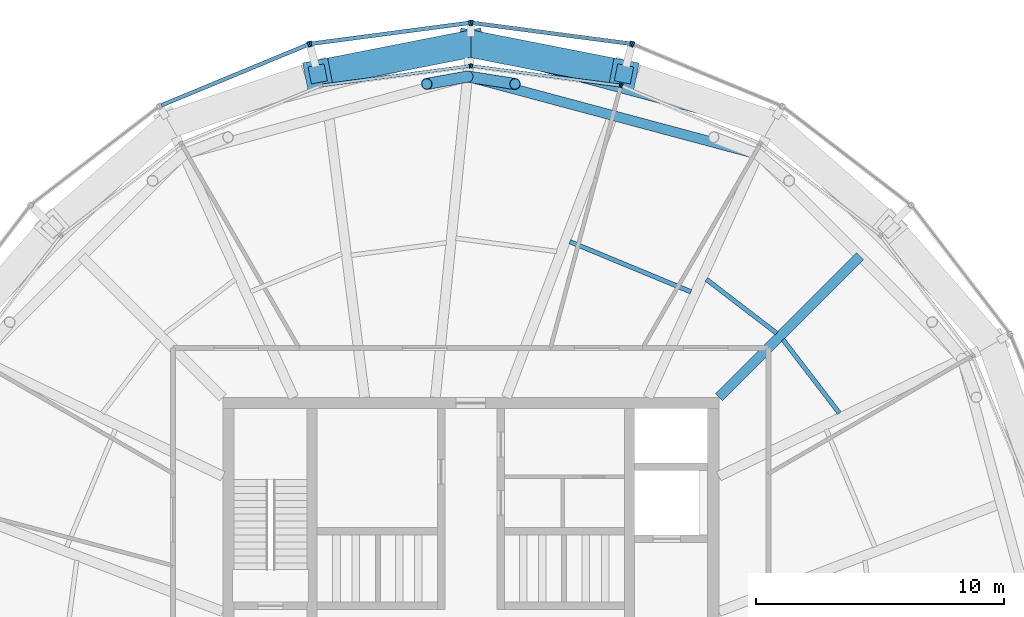
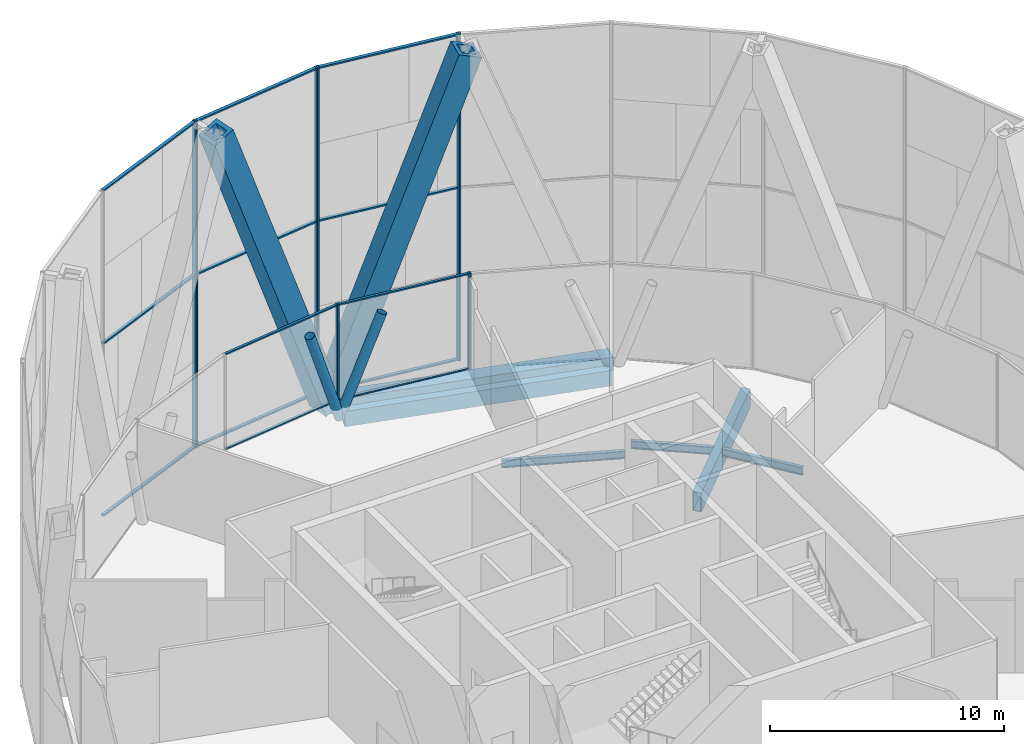
# One storey, part 7 of 15: 27 members, 6 beams, 7 elements without a shape of their own.
"""IFC4 building model written with IfcOpenShell, lengths in metres."""

from ifc_helpers import new_model, si_unit, direction, frame, origin, origin_2d, place, context, subcontext, project, spatial, rectangle, hollow_rectangle, hollow_circle, i_section, extrude, material, material_profile, profile_set, type_object, element, aggregate, save


model = new_model("IFC4")

# Units and contexts
model_context = context("Model", 3, precision=1e-05, world=origin(), true_north=direction((0.0, 1.0)))
body_context = subcontext(model_context, "Body", "Model", "MODEL_VIEW")
ifc_project = project(units=[si_unit("LENGTHUNIT", "METRE"), si_unit("AREAUNIT", "SQUARE_METRE"), si_unit("VOLUMEUNIT", "CUBIC_METRE"), si_unit("PLANEANGLEUNIT", "RADIAN"), si_unit("MASSUNIT", "GRAM", prefix="KILO")], contexts=[model_context])

# Site, building, storey
site_placement = place(None, origin())
site = spatial("IfcSite", under=ifc_project, at=site_placement, CompositionType="ELEMENT")
building_placement = place(site_placement, origin())
building = spatial("IfcBuilding", under=site, at=building_placement, Name="Golbaran Civic Tower", CompositionType="ELEMENT")
storey_placement = place(building_placement, frame((0.0, 0.0, 215.0)))
storey = spatial("IfcBuildingStorey", under=building, at=storey_placement, Name="L52", CompositionType="ELEMENT", Elevation=215.0)

# Members
ifc_material_1 = material(Name="Steel S355", Category="steel")
ifc_material_profile_1 = material_profile(ifc_material_1, hollow_circle(Radius=0.228515625, WallThickness=0.02001953125, at=origin_2d()), Name="CHS 457.0x20")
ifc_profile_set_1 = profile_set([ifc_material_profile_1], Name="Steel S355")
member_type_1 = type_object("IfcMemberType", Name="BELT TRUSS DIAGONAL CHS 457.0x20", PredefinedType="BRACE", material=ifc_profile_set_1)
member_1_placement = place(storey_placement, frame((-0.13232421875, 22.934814453125, -0.60009765625), z_axis=(-0.312607456474, -0.056623062688, 0.948193232906), x_axis=(0.178231349372, -0.983988610758, 0.0)))
element("IfcMember", 1, at=member_1_placement, inside=storey, type_object=member_type_1, Name="Belt truss diagonal 90.00R L52", PredefinedType="BRACE", context=body_context, shape_type="SweptSolid", body=[
    extrude(hollow_circle(Radius=0.228515625, WallThickness=0.02001953125, at=origin_2d()), origin(), (0.0, 0.0, 1.0), 5.273193359375),
])
member_2_placement = place(storey_placement, frame((-0.13232421875, 22.934814453125, -0.60009765625), z_axis=(0.356798260795, -0.055687120081, 0.93252021198), x_axis=(0.154207636616, 0.988038463224, 0.0)))
element("IfcMember", 2, at=member_2_placement, inside=storey, type_object=member_type_1, Name="Belt truss diagonal 90.00L L52", PredefinedType="BRACE", context=body_context, shape_type="SweptSolid", body=[
    extrude(hollow_circle(Radius=0.228515625, WallThickness=0.02001953125, at=origin_2d()), origin(), (0.0, 0.0, 1.0), 5.36181640625),
])
ifc_material_profile_2 = material_profile(ifc_material_1, hollow_rectangle(XDim=1.10009765625, YDim=1.10009765625, WallThickness=0.199951171875, at=origin_2d()), Name="BOX 1100x1100x200")
ifc_profile_set_2 = profile_set([ifc_material_profile_2], Name="Steel S355")
member_type_2 = type_object("IfcMemberType", Name="DIAGRID DIAGONAL BOX 1100x1100x200", PredefinedType="BRACE", material=ifc_profile_set_2)
for number, where, z_axis, x_axis, name in (
    (3, (0.0, 24.256103515625, -0.7099609375), (-0.340598547368, -0.066964133715, 0.937821109981), (0.192914082197, -0.981215652591, 0.0), "Diagonal D12-03R L52-L56"),
    (4, (0.0, 24.256103515625, -0.7099609375), (0.340598547368, -0.066964133715, 0.937821109981), (0.192914082197, 0.981215652591, 0.0), "Diagonal D12-03L L52-L56"),
):
    element("IfcMember", number, at=place(storey_placement, frame(where, z_axis=z_axis, x_axis=x_axis)), inside=storey, type_object=member_type_2, Name=name, PredefinedType="BRACE", context=body_context, shape_type="SweptSolid", body=[
        extrude(hollow_rectangle(XDim=1.10009765625, YDim=1.10009765625, WallThickness=0.199951171875, at=origin_2d()), origin(), (0.0, 0.0, 1.0), 18.127197265625),
    ])

# Beams
ifc_material_profile_3 = material_profile(ifc_material_1, hollow_rectangle(XDim=0.699951171875, YDim=0.699951171875, WallThickness=0.080078125, at=origin_2d()), Name="BOX 700x700x80")
ifc_profile_set_3 = profile_set([ifc_material_profile_3], Name="Steel S355")
beam_type_1 = type_object("IfcBeamType", Name="DIAGRID RING TIE BOX 700x700x80", PredefinedType="BEAM", material=ifc_profile_set_3)
beam_1_placement = place(storey_placement, frame((12.1279296875, 21.00634765625, -0.7099609375), z_axis=(-0.965924096113, 0.258825502121, 0.0), x_axis=(-0.258825502121, -0.965924096113, 0.0)))
element("IfcBeam", 5, at=beam_1_placement, inside=storey, type_object=beam_type_1, Name="Ring tie 60.00 L52", PredefinedType="BEAM", context=body_context, shape_type="SweptSolid", body=[
    extrude(hollow_rectangle(XDim=0.699951171875, YDim=0.699951171875, WallThickness=0.080078125, at=origin_2d()), origin(), (0.0, 0.0, 1.0), 12.5556640625),
])
ifc_material_profile_4 = material_profile(ifc_material_1, hollow_rectangle(XDim=0.39990234375, YDim=0.800048828125, WallThickness=0.0400390625, at=origin_2d()), Name="BOX 800x400x40")
ifc_profile_set_4 = profile_set([ifc_material_profile_4], Name="Steel S355")
beam_type_2 = type_object("IfcBeamType", Name="EDGE BEAM BOX 800x400x40", PredefinedType="BEAM", material=ifc_profile_set_4)
beam_2_placement = place(storey_placement, frame((11.404052734375, 19.84423828125, -0.60009765625), z_axis=(-0.965942492576, 0.258756837659, 0.0), x_axis=(-0.258756837659, -0.965942492576, 0.0)))
element("IfcBeam", 6, at=beam_2_placement, inside=storey, type_object=beam_type_2, Name="Edge beam 60.00 L52", PredefinedType="BEAM", context=body_context, shape_type="SweptSolid", body=[
    extrude(hollow_rectangle(XDim=0.39990234375, YDim=0.800048828125, WallThickness=0.0400390625, at=origin_2d()), origin(), (0.0, 0.0, 1.0), 11.760986328125),
])
ifc_material_profile_5 = material_profile(ifc_material_1, i_section(OverallWidth=0.179931640625, OverallDepth=0.39990234375, WebThickness=0.008544921875, FlangeThickness=0.013427734375, FilletRadius=0.02099609375, at=origin_2d()), Name="IPE 400")
ifc_profile_set_5 = profile_set([ifc_material_profile_5], Name="Steel S355")
beam_type_3 = type_object("IfcBeamType", Name="FLOOR INFILL BEAM IPE 400", PredefinedType="BEAM", material=ifc_profile_set_5)
beam_3_placement = place(storey_placement, frame((14.858642578125, 9.36376953125, -0.39990234375), z_axis=(-0.608753770436, 0.793359216862, 0.0), x_axis=(-0.793359216862, -0.608753770436, 0.0)))
element("IfcBeam", 7, at=beam_3_placement, inside=storey, type_object=beam_type_3, Name="Infill beam 37.50 L52", PredefinedType="BEAM", context=body_context, shape_type="SweptSolid", body=[
    extrude(i_section(OverallWidth=0.179931640625, OverallDepth=0.39990234375, WebThickness=0.008544921875, FlangeThickness=0.013427734375, FilletRadius=0.02099609375, at=origin_2d()), origin(), (0.0, 0.0, 1.0), 3.7373046875),
])
beam_4_placement = place(storey_placement, frame((12.330322265625, 12.5849609375, -0.39990234375), z_axis=(-0.79335768671, 0.608755764604, 0.0), x_axis=(-0.608755764604, -0.79335768671, 0.0)))
element("IfcBeam", 8, at=beam_4_placement, inside=storey, type_object=beam_type_3, Name="Infill beam 52.50 L52", PredefinedType="BEAM", context=body_context, shape_type="SweptSolid", body=[
    extrude(i_section(OverallWidth=0.179931640625, OverallDepth=0.39990234375, WebThickness=0.008544921875, FlangeThickness=0.013427734375, FilletRadius=0.02099609375, at=origin_2d()), origin(), (0.0, 0.0, 1.0), 3.572021484375),
])
beam_5_placement = place(storey_placement, frame((8.873291015625, 14.256591796875, -0.39990234375), z_axis=(-0.923880481198, 0.382681142024, 0.0), x_axis=(-0.382681142024, -0.923880481198, 0.0)))
element("IfcBeam", 9, at=beam_5_placement, inside=storey, type_object=beam_type_3, Name="Infill beam 67.50 L52", PredefinedType="BEAM", context=body_context, shape_type="SweptSolid", body=[
    extrude(i_section(OverallWidth=0.179931640625, OverallDepth=0.39990234375, WebThickness=0.008544921875, FlangeThickness=0.013427734375, FilletRadius=0.02099609375, at=origin_2d()), origin(), (0.0, 0.0, 1.0), 5.28125),
])

# Curtain wall, member
ifc_material_2 = material(Name="Aluminium and glass", Category="aluminium")
curtain_wall_type_1 = type_object("IfcCurtainWallType", Name="OUTER SKIN TERRACOTTA SCREEN", PredefinedType="NOTDEFINED", material=ifc_material_2)
curtain_wall_1_placement = place(storey_placement, origin())
curtain_wall_1 = element("IfcCurtainWall", 10, at=curtain_wall_1_placement, inside=storey, type_object=curtain_wall_type_1, Name="Outer skin L52 facet 5 CW3", ObjectType="OUTER SKIN", PredefinedType="USERDEFINED")
ifc_material_3 = material(Name="Aluminium", Category="aluminium")
ifc_material_profile_6 = material_profile(ifc_material_3, rectangle(XDim=0.219970703125, YDim=0.080078125, at=origin_2d()), Name="OUTER SKIN TERRACOTTA SCREEN MULLION")
ifc_profile_set_6 = profile_set([ifc_material_profile_6], Name="Aluminium")
member_type_3 = type_object("IfcMemberType", Name="OUTER SKIN TERRACOTTA SCREEN MULLION", PredefinedType="MULLION", material=ifc_profile_set_6)
member_3_placement = place(storey_placement, frame((6.534912109375, 24.235107421875, -0.7099609375), z_axis=(0.0, 0.0, 1.0), x_axis=(-0.38268343243, -0.923879532485, 0.0)))
member_3 = element("IfcMember", 11, at=member_3_placement, type_object=member_type_3, Name="CW3 mullion 2", PredefinedType="MULLION", context=body_context, shape_type="SweptSolid", body=[
    extrude(rectangle(XDim=0.219970703125, YDim=0.080078125, at=origin_2d()), origin(), (0.0, 0.0, 1.0), 17.0),
])
aggregate(curtain_wall_1, [member_3])

# Curtain wall, members
curtain_wall_2_placement = place(storey_placement, origin())
curtain_wall_2 = element("IfcCurtainWall", 12, at=curtain_wall_2_placement, inside=storey, type_object=curtain_wall_type_1, Name="Outer skin L52 facet 6 CW3", ObjectType="OUTER SKIN", PredefinedType="USERDEFINED")
member_4_placement = place(storey_placement, frame((6.458251953125, 24.255859375, -0.7099609375), z_axis=(0.0, 0.0, 1.0), x_axis=(-0.130526192203, -0.991444861376, 0.0)))
member_4 = element("IfcMember", 13, at=member_4_placement, type_object=member_type_3, Name="CW3 mullion 1", PredefinedType="MULLION", context=body_context, shape_type="SweptSolid", body=[
    extrude(rectangle(XDim=0.219970703125, YDim=0.080078125, at=origin_2d()), origin(), (0.0, 0.0, 1.0), 17.0),
])
member_5_placement = place(storey_placement, frame((0.03955078125, 25.100830078125, -0.7099609375), z_axis=(0.0, 0.0, 1.0), x_axis=(-0.130526192203, -0.991444861376, 0.0)))
member_5 = element("IfcMember", 14, at=member_5_placement, type_object=member_type_3, Name="CW3 mullion 2", PredefinedType="MULLION", context=body_context, shape_type="SweptSolid", body=[
    extrude(rectangle(XDim=0.219970703125, YDim=0.080078125, at=origin_2d()), origin(), (0.0, 0.0, 1.0), 17.0),
])

curtain_wall_3_placement = place(storey_placement, origin())
curtain_wall_3 = element("IfcCurtainWall", 15, at=curtain_wall_3_placement, inside=storey, type_object=curtain_wall_type_1, Name="Outer skin L52 facet 7 CW3", ObjectType="OUTER SKIN", PredefinedType="USERDEFINED")
member_6_placement = place(storey_placement, frame((-0.03955078125, 25.100830078125, -0.7099609375), z_axis=(0.0, 0.0, 1.0), x_axis=(0.130526192203, -0.991444861376, 0.0)))
member_6 = element("IfcMember", 16, at=member_6_placement, type_object=member_type_3, Name="CW3 mullion 1", PredefinedType="MULLION", context=body_context, shape_type="SweptSolid", body=[
    extrude(rectangle(XDim=0.219970703125, YDim=0.080078125, at=origin_2d()), origin(), (0.0, 0.0, 1.0), 17.0),
])
member_7_placement = place(storey_placement, frame((-6.458251953125, 24.255859375, -0.7099609375), z_axis=(0.0, 0.0, 1.0), x_axis=(0.130526192203, -0.991444861376, 0.0)))
member_7 = element("IfcMember", 17, at=member_7_placement, type_object=member_type_3, Name="CW3 mullion 2", PredefinedType="MULLION", context=body_context, shape_type="SweptSolid", body=[
    extrude(rectangle(XDim=0.219970703125, YDim=0.080078125, at=origin_2d()), origin(), (0.0, 0.0, 1.0), 17.0),
])

# Curtain wall, member
curtain_wall_4_placement = place(storey_placement, origin())
curtain_wall_4 = element("IfcCurtainWall", 18, at=curtain_wall_4_placement, inside=storey, type_object=curtain_wall_type_1, Name="Outer skin L52 facet 8 CW3", ObjectType="OUTER SKIN", PredefinedType="USERDEFINED")
member_8_placement = place(storey_placement, frame((-6.534912109375, 24.235107421875, -0.7099609375), z_axis=(0.0, 0.0, 1.0), x_axis=(0.38268343243, -0.923879532485, 0.0)))
member_8 = element("IfcMember", 19, at=member_8_placement, type_object=member_type_3, Name="CW3 mullion 1", PredefinedType="MULLION", context=body_context, shape_type="SweptSolid", body=[
    extrude(rectangle(XDim=0.219970703125, YDim=0.080078125, at=origin_2d()), origin(), (0.0, 0.0, 1.0), 17.0),
])

# Member
ifc_material_profile_7 = material_profile(ifc_material_3, rectangle(XDim=0.159912109375, YDim=0.080078125, at=origin_2d()), Name="OUTER SKIN TERRACOTTA SCREEN TRANSOM")
ifc_profile_set_7 = profile_set([ifc_material_profile_7], Name="Aluminium")
member_type_4 = type_object("IfcMemberType", Name="OUTER SKIN TERRACOTTA SCREEN TRANSOM", PredefinedType="USERDEFINED", material=ifc_profile_set_7)
member_9_placement = place(storey_placement, frame((6.418701171875, 24.260986328125, -0.669921875), z_axis=(-0.991447276218, 0.130507848345, 0.0), x_axis=(-0.130507848345, -0.991447276218, 0.0)))
member_9 = element("IfcMember", 20, at=member_9_placement, type_object=member_type_4, Name="CW3 transom 1.1", ObjectType="TRANSOM", PredefinedType="USERDEFINED", context=body_context, shape_type="SweptSolid", body=[
    extrude(rectangle(XDim=0.159912109375, YDim=0.080078125, at=origin_2d()), origin(), (0.0, 0.0, 1.0), 6.39404296875),
])

member_10_placement = place(storey_placement, frame((6.418701171875, 24.260986328125, 8.2900390625), z_axis=(-0.991447276218, 0.130507848345, 0.0), x_axis=(-0.130507848345, -0.991447276218, 0.0)))
member_10 = element("IfcMember", 21, at=member_10_placement, type_object=member_type_4, Name="CW3 transom 1.2", ObjectType="TRANSOM", PredefinedType="USERDEFINED", context=body_context, shape_type="SweptSolid", body=[
    extrude(rectangle(XDim=0.159912109375, YDim=0.080078125, at=origin_2d()), origin(), (0.0, 0.0, 1.0), 6.39404296875),
])

member_11_placement = place(storey_placement, frame((6.418701171875, 24.260986328125, 16.25), z_axis=(-0.991447276218, 0.130507848345, 0.0), x_axis=(-0.130507848345, -0.991447276218, 0.0)))
member_11 = element("IfcMember", 22, at=member_11_placement, type_object=member_type_4, Name="CW3 transom 1.3", ObjectType="TRANSOM", PredefinedType="USERDEFINED", context=body_context, shape_type="SweptSolid", body=[
    extrude(rectangle(XDim=0.159912109375, YDim=0.080078125, at=origin_2d()), origin(), (0.0, 0.0, 1.0), 6.39404296875),
])

aggregate(curtain_wall_2, [member_4, member_5, member_9, member_10, member_11])

member_12_placement = place(storey_placement, frame((-0.079345703125, 25.095458984375, -0.669921875), z_axis=(-0.991447276218, -0.130507848345, 0.0), x_axis=(0.130507848345, -0.991447276218, 0.0)))
member_12 = element("IfcMember", 23, at=member_12_placement, type_object=member_type_4, Name="CW3 transom 1.1", ObjectType="TRANSOM", PredefinedType="USERDEFINED", context=body_context, shape_type="SweptSolid", body=[
    extrude(rectangle(XDim=0.159912109375, YDim=0.080078125, at=origin_2d()), origin(), (0.0, 0.0, 1.0), 6.39404296875),
])

member_13_placement = place(storey_placement, frame((-0.079345703125, 25.095458984375, 8.2900390625), z_axis=(-0.991447276218, -0.130507848345, 0.0), x_axis=(0.130507848345, -0.991447276218, 0.0)))
member_13 = element("IfcMember", 24, at=member_13_placement, type_object=member_type_4, Name="CW3 transom 1.2", ObjectType="TRANSOM", PredefinedType="USERDEFINED", context=body_context, shape_type="SweptSolid", body=[
    extrude(rectangle(XDim=0.159912109375, YDim=0.080078125, at=origin_2d()), origin(), (0.0, 0.0, 1.0), 6.39404296875),
])

member_14_placement = place(storey_placement, frame((-0.079345703125, 25.095458984375, 16.25), z_axis=(-0.991447276218, -0.130507848345, 0.0), x_axis=(0.130507848345, -0.991447276218, 0.0)))
member_14 = element("IfcMember", 25, at=member_14_placement, type_object=member_type_4, Name="CW3 transom 1.3", ObjectType="TRANSOM", PredefinedType="USERDEFINED", context=body_context, shape_type="SweptSolid", body=[
    extrude(rectangle(XDim=0.159912109375, YDim=0.080078125, at=origin_2d()), origin(), (0.0, 0.0, 1.0), 6.39404296875),
])

aggregate(curtain_wall_3, [member_6, member_7, member_12, member_13, member_14])

member_15_placement = place(storey_placement, frame((-6.57177734375, 24.219970703125, -0.669921875), z_axis=(-0.923870235777, -0.382705875896, 0.0), x_axis=(0.382705875896, -0.923870235777, 0.0)))
member_15 = element("IfcMember", 26, at=member_15_placement, type_object=member_type_4, Name="CW3 transom 1.1", ObjectType="TRANSOM", PredefinedType="USERDEFINED", context=body_context, shape_type="SweptSolid", body=[
    extrude(rectangle(XDim=0.159912109375, YDim=0.080078125, at=origin_2d()), origin(), (0.0, 0.0, 1.0), 6.39404296875),
])

member_16_placement = place(storey_placement, frame((-6.57177734375, 24.219970703125, 8.2900390625), z_axis=(-0.923870235777, -0.382705875896, 0.0), x_axis=(0.382705875896, -0.923870235777, 0.0)))
member_16 = element("IfcMember", 27, at=member_16_placement, type_object=member_type_4, Name="CW3 transom 1.2", ObjectType="TRANSOM", PredefinedType="USERDEFINED", context=body_context, shape_type="SweptSolid", body=[
    extrude(rectangle(XDim=0.159912109375, YDim=0.080078125, at=origin_2d()), origin(), (0.0, 0.0, 1.0), 6.39404296875),
])

member_17_placement = place(storey_placement, frame((-6.57177734375, 24.219970703125, 16.25), z_axis=(-0.923870235777, -0.382705875896, 0.0), x_axis=(0.382705875896, -0.923870235777, 0.0)))
member_17 = element("IfcMember", 28, at=member_17_placement, type_object=member_type_4, Name="CW3 transom 1.3", ObjectType="TRANSOM", PredefinedType="USERDEFINED", context=body_context, shape_type="SweptSolid", body=[
    extrude(rectangle(XDim=0.159912109375, YDim=0.080078125, at=origin_2d()), origin(), (0.0, 0.0, 1.0), 6.39404296875),
])

aggregate(curtain_wall_4, [member_8, member_15, member_16, member_17])

# Curtain wall, member
curtain_wall_type_2 = type_object("IfcCurtainWallType", Name="PLANT FLOOR LOUVRE WALL", PredefinedType="NOTDEFINED", material=ifc_material_2)
curtain_wall_5_placement = place(storey_placement, origin())
curtain_wall_5 = element("IfcCurtainWall", 29, at=curtain_wall_5_placement, inside=storey, type_object=curtain_wall_type_2, Name="Inner skin L52 facet 5 CW6", ObjectType="PLANT LOUVRE WALL", PredefinedType="USERDEFINED")
ifc_material_profile_8 = material_profile(ifc_material_3, rectangle(XDim=0.159912109375, YDim=0.070068359375, at=origin_2d()), Name="PLANT FLOOR LOUVRE WALL MULLION")
ifc_profile_set_8 = profile_set([ifc_material_profile_8], Name="Aluminium")
member_type_5 = type_object("IfcMemberType", Name="PLANT FLOOR LOUVRE WALL MULLION", PredefinedType="MULLION", material=ifc_profile_set_8)
member_18_placement = place(storey_placement, frame((6.07958984375, 22.555419921875, 0.0), z_axis=(0.0, 0.0, 1.0), x_axis=(-0.382683432397, -0.923879532498, 0.0)))
member_18 = element("IfcMember", 30, at=member_18_placement, type_object=member_type_5, Name="CW6 mullion 2", PredefinedType="MULLION", context=body_context, shape_type="SweptSolid", body=[
    extrude(rectangle(XDim=0.159912109375, YDim=0.070068359375, at=origin_2d()), origin(), (0.0, 0.0, 1.0), 5.0),
])
aggregate(curtain_wall_5, [member_18])

# Curtain wall, members
curtain_wall_6_placement = place(storey_placement, origin())
curtain_wall_6 = element("IfcCurtainWall", 31, at=curtain_wall_6_placement, inside=storey, type_object=curtain_wall_type_2, Name="Inner skin L52 facet 6 CW6", ObjectType="PLANT LOUVRE WALL", PredefinedType="USERDEFINED")
member_19_placement = place(storey_placement, frame((6.0126953125, 22.573486328125, 0.0), z_axis=(0.0, 0.0, 1.0), x_axis=(-0.130526192255, -0.991444861369, 0.0)))
member_19 = element("IfcMember", 32, at=member_19_placement, type_object=member_type_5, Name="CW6 mullion 1", PredefinedType="MULLION", context=body_context, shape_type="SweptSolid", body=[
    extrude(rectangle(XDim=0.159912109375, YDim=0.070068359375, at=origin_2d()), origin(), (0.0, 0.0, 1.0), 5.0),
])
member_20_placement = place(storey_placement, frame((0.03466796875, 23.3603515625, 0.0), z_axis=(0.0, 0.0, 1.0), x_axis=(-0.130526192255, -0.991444861369, 0.0)))
member_20 = element("IfcMember", 33, at=member_20_placement, type_object=member_type_5, Name="CW6 mullion 2", PredefinedType="MULLION", context=body_context, shape_type="SweptSolid", body=[
    extrude(rectangle(XDim=0.159912109375, YDim=0.070068359375, at=origin_2d()), origin(), (0.0, 0.0, 1.0), 5.0),
])

# Curtain wall, member
curtain_wall_7_placement = place(storey_placement, origin())
curtain_wall_7 = element("IfcCurtainWall", 34, at=curtain_wall_7_placement, inside=storey, type_object=curtain_wall_type_2, Name="Inner skin L52 facet 7 CW6", ObjectType="PLANT LOUVRE WALL", PredefinedType="USERDEFINED")
member_21_placement = place(storey_placement, frame((-0.03466796875, 23.3603515625, 0.0), z_axis=(0.0, 0.0, 1.0), x_axis=(0.130526192255, -0.991444861369, 0.0)))
member_21 = element("IfcMember", 35, at=member_21_placement, type_object=member_type_5, Name="CW6 mullion 1", PredefinedType="MULLION", context=body_context, shape_type="SweptSolid", body=[
    extrude(rectangle(XDim=0.159912109375, YDim=0.070068359375, at=origin_2d()), origin(), (0.0, 0.0, 1.0), 5.0),
])

# Member
ifc_material_profile_9 = material_profile(ifc_material_3, rectangle(XDim=0.1201171875, YDim=0.070068359375, at=origin_2d()), Name="PLANT FLOOR LOUVRE WALL TRANSOM")
ifc_profile_set_9 = profile_set([ifc_material_profile_9], Name="Aluminium")
member_type_6 = type_object("IfcMemberType", Name="PLANT FLOOR LOUVRE WALL TRANSOM", PredefinedType="USERDEFINED", material=ifc_profile_set_9)
member_22_placement = place(storey_placement, frame((5.97802734375, 22.577880859375, 0.034912109375), z_axis=(-0.991440904811, 0.130556241783, 0.0), x_axis=(-0.130556241783, -0.991440904811, 0.0)))
member_22 = element("IfcMember", 36, at=member_22_placement, type_object=member_type_6, Name="CW6 transom 1.1", ObjectType="TRANSOM", PredefinedType="USERDEFINED", context=body_context, shape_type="SweptSolid", body=[
    extrude(rectangle(XDim=0.1201171875, YDim=0.070068359375, at=origin_2d()), origin(), (0.0, 0.0, 1.0), 5.959716796875),
])

member_23_placement = place(storey_placement, frame((5.97802734375, 22.577880859375, 4.965087890625), z_axis=(-0.991440904811, 0.130556241783, 0.0), x_axis=(-0.130556241783, -0.991440904811, 0.0)))
member_23 = element("IfcMember", 37, at=member_23_placement, type_object=member_type_6, Name="CW6 transom 1.2", ObjectType="TRANSOM", PredefinedType="USERDEFINED", context=body_context, shape_type="SweptSolid", body=[
    extrude(rectangle(XDim=0.1201171875, YDim=0.070068359375, at=origin_2d()), origin(), (0.0, 0.0, 1.0), 5.959716796875),
])

aggregate(curtain_wall_6, [member_19, member_20, member_22, member_23])

member_24_placement = place(storey_placement, frame((-0.0693359375, 23.35595703125, 0.034912109375), z_axis=(-0.991440904811, -0.130556241783, 0.0), x_axis=(0.130556241783, -0.991440904811, 0.0)))
member_24 = element("IfcMember", 38, at=member_24_placement, type_object=member_type_6, Name="CW6 transom 1.1", ObjectType="TRANSOM", PredefinedType="USERDEFINED", context=body_context, shape_type="SweptSolid", body=[
    extrude(rectangle(XDim=0.1201171875, YDim=0.070068359375, at=origin_2d()), origin(), (0.0, 0.0, 1.0), 5.959716796875),
])

member_25_placement = place(storey_placement, frame((-0.0693359375, 23.35595703125, 4.965087890625), z_axis=(-0.991440904811, -0.130556241783, 0.0), x_axis=(0.130556241783, -0.991440904811, 0.0)))
member_25 = element("IfcMember", 39, at=member_25_placement, type_object=member_type_6, Name="CW6 transom 1.2", ObjectType="TRANSOM", PredefinedType="USERDEFINED", context=body_context, shape_type="SweptSolid", body=[
    extrude(rectangle(XDim=0.1201171875, YDim=0.070068359375, at=origin_2d()), origin(), (0.0, 0.0, 1.0), 5.959716796875),
])

aggregate(curtain_wall_7, [member_21, member_24, member_25])

# Beam
ifc_material_profile_10 = material_profile(ifc_material_1, hollow_rectangle(XDim=0.39990234375, YDim=1.0, WallThickness=0.0400390625, at=origin_2d()), Name="BOX 1000x400x40")
ifc_profile_set_10 = profile_set([ifc_material_profile_10], Name="Steel S355")
beam_type_4 = type_object("IfcBeamType", Name="SECONDARY FLOOR BEAM BOX 1000x400x40", PredefinedType="BEAM", material=ifc_profile_set_10)
beam_6_placement = place(storey_placement, frame((10.0, 10.0, -0.7099609375), z_axis=(0.707106781187, 0.707106781187, 0.0), x_axis=(-0.707106781187, 0.707106781187, 0.0)))
element("IfcBeam", 40, at=beam_6_placement, inside=storey, type_object=beam_type_4, Name="Secondary beam 45.00 L52", PredefinedType="BEAM", context=body_context, shape_type="SweptSolid", body=[
    extrude(hollow_rectangle(XDim=0.39990234375, YDim=1.0, WallThickness=0.0400390625, at=origin_2d()), origin(), (0.0, 0.0, 1.0), 8.041015625),
])

save(model, "model.ifc")
